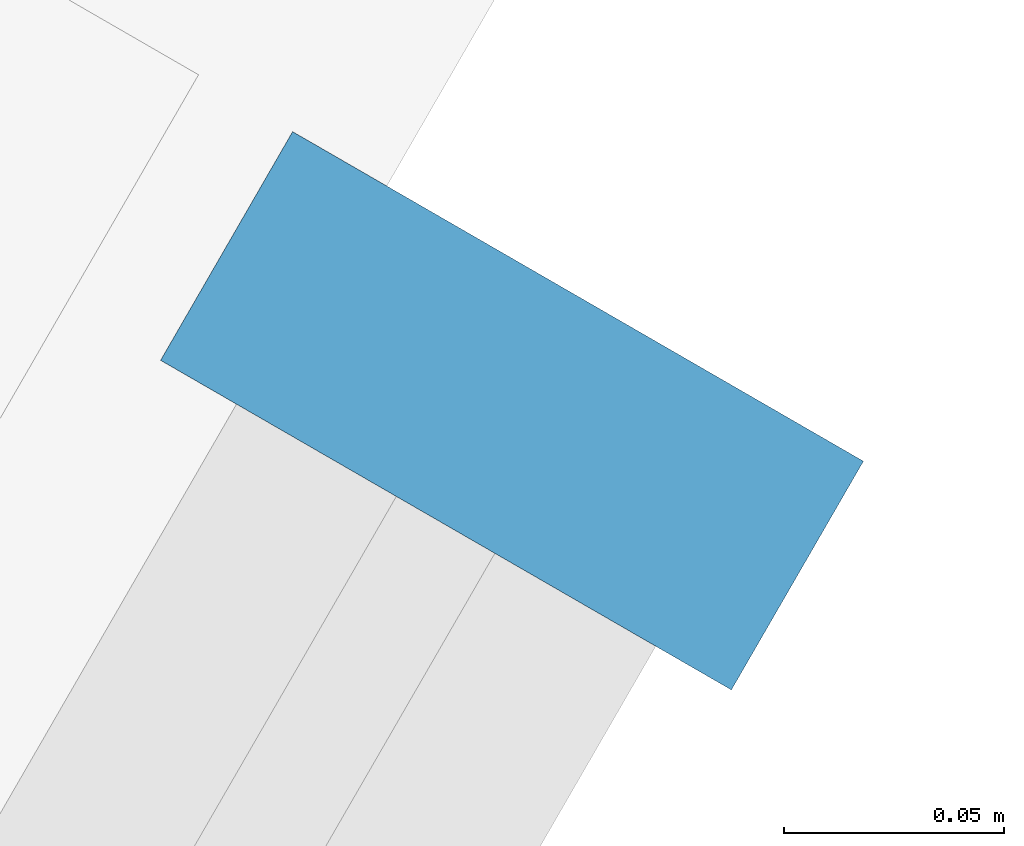
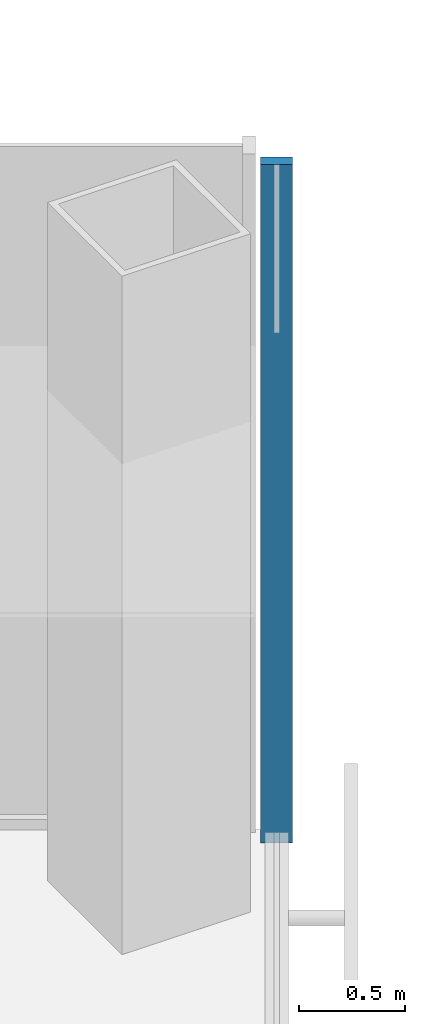
# One storey, part 9 of 18: 1 member, 1 element without a shape of its own.
"""IFC4 building model written with IfcOpenShell, lengths in metres."""

import ifcopenshell
import ifcopenshell.guid

model = None  # the IFC model being written
_history = None  # IfcOwnerHistory: only IFC2X3 demands one
_inside = {}  # id of a spatial element -> (the spatial element, [elements in it])
_under = {}  # id of a project, library or spatial element -> (it, [spatial elements below it])
_declared = {}  # id of a project -> (the project, [libraries it declares])
_typed = {}  # id of a type object -> (the type object, [elements of that type])
_made_of = {}  # id of a material, layer set ... -> (it, [elements and type objects made of it])


def new_model(schema):
    """Start an empty IFC model of exactly this schema.

    Asked for "IFC4X3", IfcOpenShell would pick the latest addendum, in which some entities
    have other attributes; the version numbers below select the first issue.
    IFC2X3 requires an IfcOwnerHistory on every rooted entity: one is made here for all.
    """
    global model, _history
    if schema == "IFC4X3":
        model = ifcopenshell.file(schema_version=(4, 3, 0, 0))
    else:
        model = ifcopenshell.file(schema=schema)
    _inside.clear()
    _under.clear()
    _declared.clear()
    _typed.clear()
    _made_of.clear()
    _history = None
    if model.schema == "IFC2X3":
        org = make("IfcOrganization", Name="unknown")
        user = make(
            "IfcPersonAndOrganization",
            ThePerson=make("IfcPerson", FamilyName="unknown"),
            TheOrganization=org,
        )
        app = make(
            "IfcApplication",
            ApplicationDeveloper=org,
            Version="unknown",
            ApplicationFullName="unknown",
            ApplicationIdentifier="unknown",
        )
        _history = make(
            "IfcOwnerHistory",
            OwningUser=user,
            OwningApplication=app,
            ChangeAction="ADDED",
            CreationDate=0,
        )
    return model


def make(cls, **values):
    """One entity of the class cls with the attributes given. An attribute that is None is left unset."""
    return model.create_entity(
        cls, **{name: value for name, value in values.items() if value is not None}
    )


def rooted(cls, **values):
    """An entity with a GlobalId (a new one), such as an element, a storey or a relation."""
    return make(cls, GlobalId=ifcopenshell.guid.new(), OwnerHistory=_history, **values)


def si_unit(unit_type, name, prefix=None):
    """IfcSIUnit, for example si_unit("LENGTHUNIT", "METRE", prefix="MILLI")."""
    return make("IfcSIUnit", UnitType=unit_type, Prefix=prefix, Name=name)


def assignment(units):
    """IfcUnitAssignment: the units of a project."""
    return None if units is None else make("IfcUnitAssignment", Units=units)


def point(xyz):
    """IfcCartesianPoint."""
    return None if xyz is None else make("IfcCartesianPoint", Coordinates=xyz)


def direction(xyz):
    """IfcDirection."""
    return None if xyz is None else make("IfcDirection", DirectionRatios=xyz)


def frame(location, z_axis=None, x_axis=None):
    """IfcAxis2Placement3D, a coordinate frame: its origin and axes. An axis left out is left unset."""
    return make(
        "IfcAxis2Placement3D",
        Location=point(location),
        Axis=direction(z_axis),
        RefDirection=direction(x_axis),
    )


def frame_2d(location, x_axis=None):
    """IfcAxis2Placement2D, a coordinate frame in the plane: its origin and x axis."""
    return make(
        "IfcAxis2Placement2D", Location=point(location), RefDirection=direction(x_axis)
    )


def origin():
    """The frame at (0, 0, 0) with its axes left unset."""
    return frame((0.0, 0.0, 0.0))


def origin_2d():
    """The frame at (0, 0) in the plane with its x axis left unset."""
    return frame_2d((0.0, 0.0))


def place(relative_to, where):
    """IfcLocalPlacement: puts the frame where relative to a parent placement (None: the world)."""
    return make(
        "IfcLocalPlacement", PlacementRelTo=relative_to, RelativePlacement=where
    )


def context(
    kind, dimensions, precision=None, world=None, true_north=None, identifier=None
):
    """IfcGeometricRepresentationContext, for example the 3D "Model" context."""
    return make(
        "IfcGeometricRepresentationContext",
        ContextIdentifier=identifier,
        ContextType=kind,
        CoordinateSpaceDimension=dimensions,
        Precision=precision,
        WorldCoordinateSystem=world,
        TrueNorth=true_north,
    )


def subcontext(parent, identifier, kind, view, scale=None):
    """IfcGeometricRepresentationSubContext, for example "Body" below "Model"."""
    return make(
        "IfcGeometricRepresentationSubContext",
        ContextIdentifier=identifier,
        ContextType=kind,
        ParentContext=parent,
        TargetScale=scale,
        TargetView=view,
    )


def project(units=None, contexts=None):
    """IfcProject with its units and contexts."""
    return rooted(
        "IfcProject",
        Name="project",
        RepresentationContexts=contexts,
        UnitsInContext=assignment(units),
    )


def spatial(cls, under=None, at=None, **own):
    """A site, building, storey or space (cls), placed at a placement, below another one or the project."""
    s = rooted(cls, ObjectPlacement=at, **own)
    if under is not None:
        _under.setdefault(under.id(), (under, []))[1].append(s)
    return s


def profile(cls, at=None, kind="AREA", **sizes):
    """A parametric profile (cls). Its sizes go by their IFC names, for example OverallWidth=200.0."""
    return make(cls, ProfileType=kind, Position=at, **sizes)


def rectangle(**sizes):
    """IfcRectangleProfileDef."""
    return profile("IfcRectangleProfileDef", **sizes)


def extrude(swept, where, along, depth):
    """IfcExtrudedAreaSolid: the profile swept, set in the frame where, extruded along a direction by depth."""
    return make(
        "IfcExtrudedAreaSolid",
        SweptArea=swept,
        Position=where,
        ExtrudedDirection=direction(along),
        Depth=depth,
    )


def shape(context_of_items, identifier, shape_type, items):
    """IfcShapeRepresentation: the items that make up one representation, for example the "Body"."""
    return make(
        "IfcShapeRepresentation",
        ContextOfItems=context_of_items,
        RepresentationIdentifier=identifier,
        RepresentationType=shape_type,
        Items=items,
    )


def material(Name=None, Category=None):
    """IfcMaterial."""
    return make("IfcMaterial", Name=Name, Category=Category)


def material_profile(
    of_material, cross_section, Name=None, Category=None, Priority=None
):
    """IfcMaterialProfile: a cross section and its material."""
    return make(
        "IfcMaterialProfile",
        Name=Name,
        Material=of_material,
        Profile=cross_section,
        Priority=Priority,
        Category=Category,
    )


def profile_set(profiles, Name=None, composite=None):
    """IfcMaterialProfileSet."""
    return make(
        "IfcMaterialProfileSet",
        Name=Name,
        MaterialProfiles=profiles,
        CompositeProfile=composite,
    )


def made_of(thing, what):
    """Note that an element or type object is made of a material, layer set ...; save() writes the relation."""
    if what is not None:
        _made_of.setdefault(what.id(), (what, []))[1].append(thing)
    return thing


def type_object(cls, material=None, **own):
    """A type object (cls), such as IfcWallType, which elements share."""
    return made_of(rooted(cls, **own), material)


def element(
    cls,
    number,
    at=None,
    inside=None,
    cuts=None,
    type_object=None,
    material=None,
    context=None,
    identifier="Body",
    shape_type=None,
    held_by="IfcProductDefinitionShape",
    body=None,
    shapes=None,
    **own,
):
    """One element of the class cls, such as IfcWall. Its Tag is "e" and its number.

    at: its placement. inside: the storey or other place that contains it. cuts: it is an
    opening in that element (IfcRelVoidsElement). A single representation is given by context,
    identifier, shape_type and body (its items); several are given by shapes. held_by: the class
    of the entity that holds the representations. save() writes the other relations.
    """
    e = rooted(cls, Tag="e%d" % number, ObjectPlacement=at, **own)
    if body is not None:
        shapes = [shape(context, identifier, shape_type, body)]
    if shapes is not None:
        e.Representation = make(held_by, Representations=shapes)
    if inside is not None:
        _inside.setdefault(inside.id(), (inside, []))[1].append(e)
    if cuts is not None:
        rooted(
            "IfcRelVoidsElement", RelatingBuildingElement=cuts, RelatedOpeningElement=e
        )
    if type_object is not None:
        _typed.setdefault(type_object.id(), (type_object, []))[1].append(e)
    return made_of(e, material)


def aggregate(whole, parts):
    """IfcRelAggregates: a whole, such as a stair, and the parts it consists of."""
    return rooted("IfcRelAggregates", RelatingObject=whole, RelatedObjects=parts)


def save(model, path):
    """Write the relations noted so far, then the file.

    IfcRelAggregates (storeys below a building ...), IfcRelContainedInSpatialStructure (elements
    in a storey), IfcRelDefinesByType, IfcRelAssociatesMaterial and IfcRelDeclares: one each for
    every whole, place, type object, material and project.
    """
    for whole, parts in _under.values():
        aggregate(whole, parts)
    for where, things in _inside.values():
        rooted(
            "IfcRelContainedInSpatialStructure",
            RelatedElements=things,
            RelatingStructure=where,
        )
    for kind, things in _typed.values():
        rooted("IfcRelDefinesByType", RelatedObjects=things, RelatingType=kind)
    for what, things in _made_of.values():
        rooted("IfcRelAssociatesMaterial", RelatedObjects=things, RelatingMaterial=what)
    for by, libraries in _declared.values():
        rooted("IfcRelDeclares", RelatingContext=by, RelatedDefinitions=libraries)
    model.write(path)


model = new_model("IFC4")

# Units and contexts
model_context = context("Model", 3, precision=1e-05, world=origin(), true_north=direction((0.0, 1.0)))
body_context = subcontext(model_context, "Body", "Model", "MODEL_VIEW")
ifc_project = project(units=[si_unit("LENGTHUNIT", "METRE"), si_unit("AREAUNIT", "SQUARE_METRE"), si_unit("VOLUMEUNIT", "CUBIC_METRE"), si_unit("PLANEANGLEUNIT", "RADIAN"), si_unit("MASSUNIT", "GRAM", prefix="KILO")], contexts=[model_context])

# Site, building, storey
site_placement = place(None, origin())
site = spatial("IfcSite", under=ifc_project, at=site_placement, CompositionType="ELEMENT")
building_placement = place(site_placement, origin())
building = spatial("IfcBuilding", under=site, at=building_placement, Name="Kasaneha Research Tower", CompositionType="ELEMENT")
storey_placement = place(building_placement, frame((0.0, 0.0, 140.89990234375)))
storey = spatial("IfcBuildingStorey", under=building, at=storey_placement, Name="L35", CompositionType="ELEMENT", Elevation=140.89990234375)

# Curtain wall, member
ifc_material_1 = material(Name="Glass and aluminium", Category="aluminium")
curtain_wall_type = type_object("IfcCurtainWallType", Name="Mid-rise office curtain wall", PredefinedType="USERDEFINED", material=ifc_material_1)
curtain_wall_placement = place(storey_placement, origin())
curtain_wall = element("IfcCurtainWall", 1, at=curtain_wall_placement, inside=storey, type_object=curtain_wall_type, Name="CW-O2 L35 run 04a", ObjectType="UNITISED CURTAIN WALL", PredefinedType="USERDEFINED")
ifc_material_2 = material(Name="Aluminium 6063-T6", Category="aluminium")
ifc_material_profile = material_profile(ifc_material_2, rectangle(XDim=0.06005859375, YDim=0.14990234375, at=origin_2d()), Name="CW-O2 mullion 60x150")
ifc_profile_set = profile_set([ifc_material_profile], Name="Aluminium 6063-T6")
member_type = type_object("IfcMemberType", Name="CW-O2 mullion", PredefinedType="MULLION", material=ifc_profile_set)
member_placement = place(storey_placement, frame((32.012939453125, -6.39306640625, 0.0), z_axis=(0.0, 0.0, 1.0), x_axis=(0.500000011442, 0.866025397178, 0.0)))
member = element("IfcMember", 2, at=member_placement, type_object=member_type, Name="CW-O2 mullion 4", PredefinedType="MULLION", context=body_context, shape_type="SweptSolid", body=[
    extrude(rectangle(XDim=0.06005859375, YDim=0.14990234375, at=origin_2d()), origin(), (0.0, 0.0, 1.0), 3.900146484375),
])
aggregate(curtain_wall, [member])

save(model, "model.ifc")
